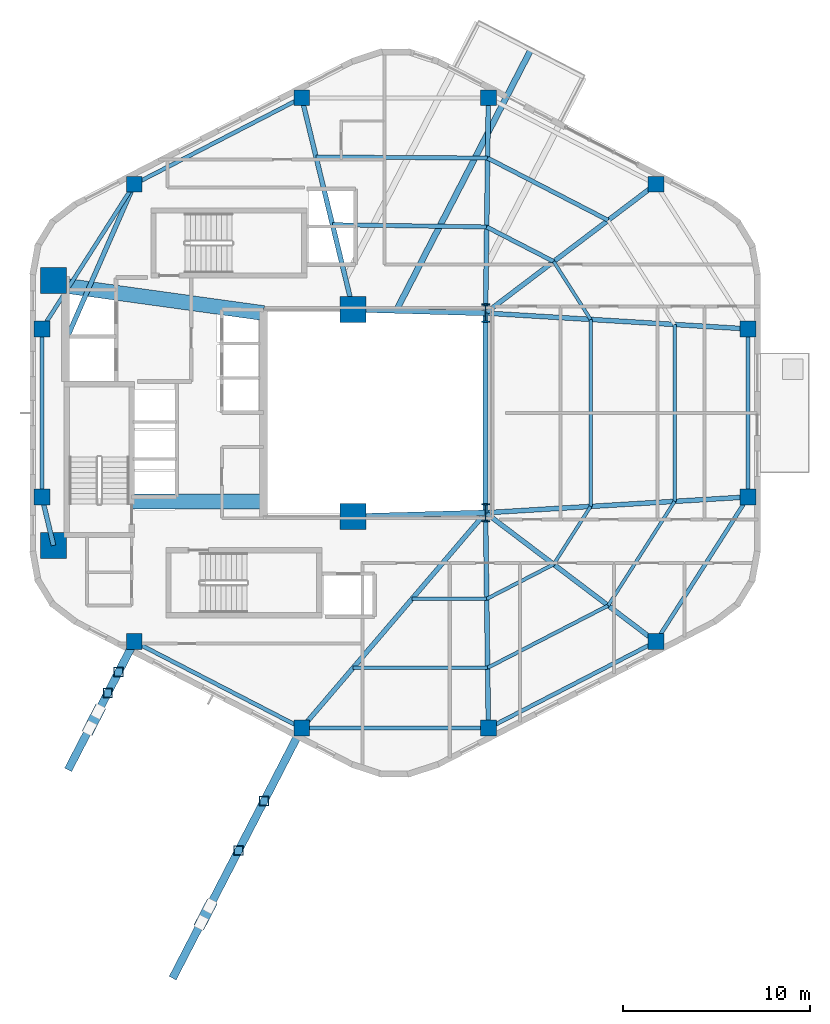
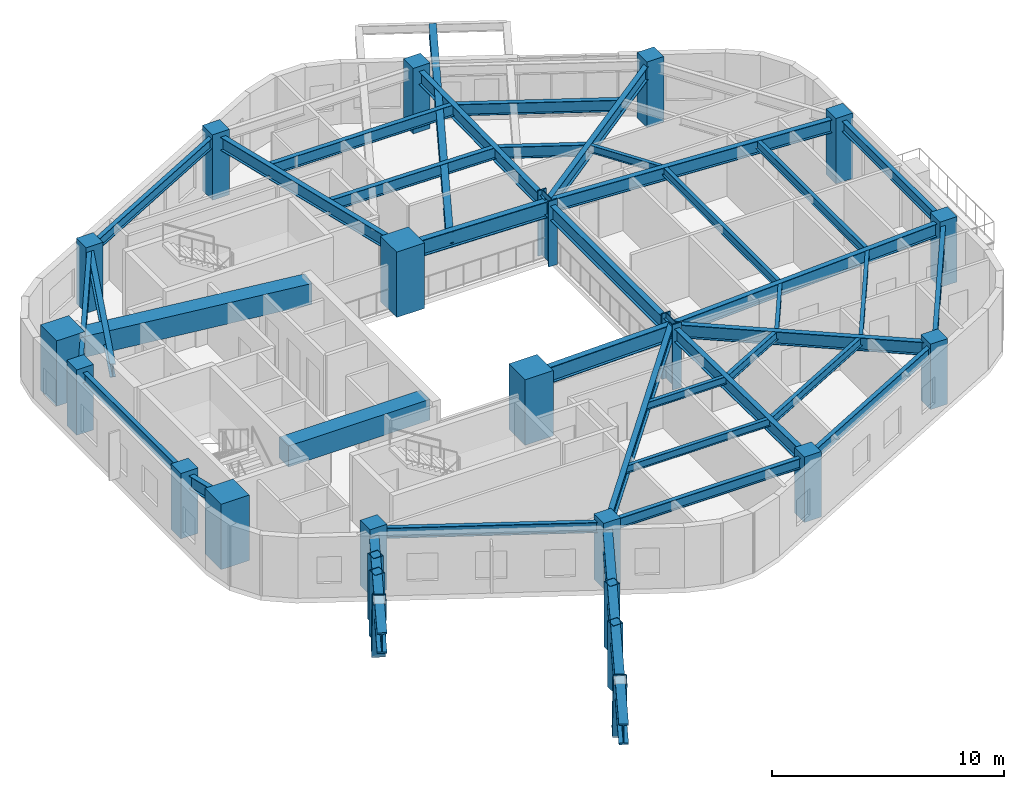
# One storey, part 1 of 11: 39 beams, 18 columns, 6 members.
"""IFC4 building model written with IfcOpenShell, lengths in metres."""

import ifcopenshell
import ifcopenshell.guid

model = None  # the IFC model being written
_history = None  # IfcOwnerHistory: only IFC2X3 demands one
_inside = {}  # id of a spatial element -> (the spatial element, [elements in it])
_under = {}  # id of a project, library or spatial element -> (it, [spatial elements below it])
_declared = {}  # id of a project -> (the project, [libraries it declares])
_typed = {}  # id of a type object -> (the type object, [elements of that type])
_made_of = {}  # id of a material, layer set ... -> (it, [elements and type objects made of it])


def new_model(schema):
    """Start an empty IFC model of exactly this schema.

    Asked for "IFC4X3", IfcOpenShell would pick the latest addendum, in which some entities
    have other attributes; the version numbers below select the first issue.
    IFC2X3 requires an IfcOwnerHistory on every rooted entity: one is made here for all.
    """
    global model, _history
    if schema == "IFC4X3":
        model = ifcopenshell.file(schema_version=(4, 3, 0, 0))
    else:
        model = ifcopenshell.file(schema=schema)
    _inside.clear()
    _under.clear()
    _declared.clear()
    _typed.clear()
    _made_of.clear()
    _history = None
    if model.schema == "IFC2X3":
        org = make("IfcOrganization", Name="unknown")
        user = make(
            "IfcPersonAndOrganization",
            ThePerson=make("IfcPerson", FamilyName="unknown"),
            TheOrganization=org,
        )
        app = make(
            "IfcApplication",
            ApplicationDeveloper=org,
            Version="unknown",
            ApplicationFullName="unknown",
            ApplicationIdentifier="unknown",
        )
        _history = make(
            "IfcOwnerHistory",
            OwningUser=user,
            OwningApplication=app,
            ChangeAction="ADDED",
            CreationDate=0,
        )
    return model


def make(cls, **values):
    """One entity of the class cls with the attributes given. An attribute that is None is left unset."""
    return model.create_entity(
        cls, **{name: value for name, value in values.items() if value is not None}
    )


def rooted(cls, **values):
    """An entity with a GlobalId (a new one), such as an element, a storey or a relation."""
    return make(cls, GlobalId=ifcopenshell.guid.new(), OwnerHistory=_history, **values)


def si_unit(unit_type, name, prefix=None):
    """IfcSIUnit, for example si_unit("LENGTHUNIT", "METRE", prefix="MILLI")."""
    return make("IfcSIUnit", UnitType=unit_type, Prefix=prefix, Name=name)


def assignment(units):
    """IfcUnitAssignment: the units of a project."""
    return None if units is None else make("IfcUnitAssignment", Units=units)


def point(xyz):
    """IfcCartesianPoint."""
    return None if xyz is None else make("IfcCartesianPoint", Coordinates=xyz)


def direction(xyz):
    """IfcDirection."""
    return None if xyz is None else make("IfcDirection", DirectionRatios=xyz)


def frame(location, z_axis=None, x_axis=None):
    """IfcAxis2Placement3D, a coordinate frame: its origin and axes. An axis left out is left unset."""
    return make(
        "IfcAxis2Placement3D",
        Location=point(location),
        Axis=direction(z_axis),
        RefDirection=direction(x_axis),
    )


def frame_2d(location, x_axis=None):
    """IfcAxis2Placement2D, a coordinate frame in the plane: its origin and x axis."""
    return make(
        "IfcAxis2Placement2D", Location=point(location), RefDirection=direction(x_axis)
    )


def origin():
    """The frame at (0, 0, 0) with its axes left unset."""
    return frame((0.0, 0.0, 0.0))


def origin_2d():
    """The frame at (0, 0) in the plane with its x axis left unset."""
    return frame_2d((0.0, 0.0))


def place(relative_to, where):
    """IfcLocalPlacement: puts the frame where relative to a parent placement (None: the world)."""
    return make(
        "IfcLocalPlacement", PlacementRelTo=relative_to, RelativePlacement=where
    )


def context(
    kind, dimensions, precision=None, world=None, true_north=None, identifier=None
):
    """IfcGeometricRepresentationContext, for example the 3D "Model" context."""
    return make(
        "IfcGeometricRepresentationContext",
        ContextIdentifier=identifier,
        ContextType=kind,
        CoordinateSpaceDimension=dimensions,
        Precision=precision,
        WorldCoordinateSystem=world,
        TrueNorth=true_north,
    )


def subcontext(parent, identifier, kind, view, scale=None):
    """IfcGeometricRepresentationSubContext, for example "Body" below "Model"."""
    return make(
        "IfcGeometricRepresentationSubContext",
        ContextIdentifier=identifier,
        ContextType=kind,
        ParentContext=parent,
        TargetScale=scale,
        TargetView=view,
    )


def project(units=None, contexts=None):
    """IfcProject with its units and contexts."""
    return rooted(
        "IfcProject",
        Name="project",
        RepresentationContexts=contexts,
        UnitsInContext=assignment(units),
    )


def spatial(cls, under=None, at=None, **own):
    """A site, building, storey or space (cls), placed at a placement, below another one or the project."""
    s = rooted(cls, ObjectPlacement=at, **own)
    if under is not None:
        _under.setdefault(under.id(), (under, []))[1].append(s)
    return s


def profile(cls, at=None, kind="AREA", **sizes):
    """A parametric profile (cls). Its sizes go by their IFC names, for example OverallWidth=200.0."""
    return make(cls, ProfileType=kind, Position=at, **sizes)


def rectangle(**sizes):
    """IfcRectangleProfileDef."""
    return profile("IfcRectangleProfileDef", **sizes)


def hollow_rectangle(**sizes):
    """IfcRectangleHollowProfileDef."""
    return profile("IfcRectangleHollowProfileDef", **sizes)


def i_section(**sizes):
    """IfcIShapeProfileDef."""
    return profile("IfcIShapeProfileDef", **sizes)


def extrude(swept, where, along, depth):
    """IfcExtrudedAreaSolid: the profile swept, set in the frame where, extruded along a direction by depth."""
    return make(
        "IfcExtrudedAreaSolid",
        SweptArea=swept,
        Position=where,
        ExtrudedDirection=direction(along),
        Depth=depth,
    )


def shape(context_of_items, identifier, shape_type, items):
    """IfcShapeRepresentation: the items that make up one representation, for example the "Body"."""
    return make(
        "IfcShapeRepresentation",
        ContextOfItems=context_of_items,
        RepresentationIdentifier=identifier,
        RepresentationType=shape_type,
        Items=items,
    )


def material(Name=None, Category=None):
    """IfcMaterial."""
    return make("IfcMaterial", Name=Name, Category=Category)


def material_profile(
    of_material, cross_section, Name=None, Category=None, Priority=None
):
    """IfcMaterialProfile: a cross section and its material."""
    return make(
        "IfcMaterialProfile",
        Name=Name,
        Material=of_material,
        Profile=cross_section,
        Priority=Priority,
        Category=Category,
    )


def profile_set(profiles, Name=None, composite=None):
    """IfcMaterialProfileSet."""
    return make(
        "IfcMaterialProfileSet",
        Name=Name,
        MaterialProfiles=profiles,
        CompositeProfile=composite,
    )


def made_of(thing, what):
    """Note that an element or type object is made of a material, layer set ...; save() writes the relation."""
    if what is not None:
        _made_of.setdefault(what.id(), (what, []))[1].append(thing)
    return thing


def type_object(cls, material=None, **own):
    """A type object (cls), such as IfcWallType, which elements share."""
    return made_of(rooted(cls, **own), material)


def element(
    cls,
    number,
    at=None,
    inside=None,
    cuts=None,
    type_object=None,
    material=None,
    context=None,
    identifier="Body",
    shape_type=None,
    held_by="IfcProductDefinitionShape",
    body=None,
    shapes=None,
    **own,
):
    """One element of the class cls, such as IfcWall. Its Tag is "e" and its number.

    at: its placement. inside: the storey or other place that contains it. cuts: it is an
    opening in that element (IfcRelVoidsElement). A single representation is given by context,
    identifier, shape_type and body (its items); several are given by shapes. held_by: the class
    of the entity that holds the representations. save() writes the other relations.
    """
    e = rooted(cls, Tag="e%d" % number, ObjectPlacement=at, **own)
    if body is not None:
        shapes = [shape(context, identifier, shape_type, body)]
    if shapes is not None:
        e.Representation = make(held_by, Representations=shapes)
    if inside is not None:
        _inside.setdefault(inside.id(), (inside, []))[1].append(e)
    if cuts is not None:
        rooted(
            "IfcRelVoidsElement", RelatingBuildingElement=cuts, RelatedOpeningElement=e
        )
    if type_object is not None:
        _typed.setdefault(type_object.id(), (type_object, []))[1].append(e)
    return made_of(e, material)


def aggregate(whole, parts):
    """IfcRelAggregates: a whole, such as a stair, and the parts it consists of."""
    return rooted("IfcRelAggregates", RelatingObject=whole, RelatedObjects=parts)


def save(model, path):
    """Write the relations noted so far, then the file.

    IfcRelAggregates (storeys below a building ...), IfcRelContainedInSpatialStructure (elements
    in a storey), IfcRelDefinesByType, IfcRelAssociatesMaterial and IfcRelDeclares: one each for
    every whole, place, type object, material and project.
    """
    for whole, parts in _under.values():
        aggregate(whole, parts)
    for where, things in _inside.values():
        rooted(
            "IfcRelContainedInSpatialStructure",
            RelatedElements=things,
            RelatingStructure=where,
        )
    for kind, things in _typed.values():
        rooted("IfcRelDefinesByType", RelatedObjects=things, RelatingType=kind)
    for what, things in _made_of.values():
        rooted("IfcRelAssociatesMaterial", RelatedObjects=things, RelatingMaterial=what)
    for by, libraries in _declared.values():
        rooted("IfcRelDeclares", RelatingContext=by, RelatedDefinitions=libraries)
    model.write(path)


model = new_model("IFC4")

# Units and contexts
model_context = context("Model", 3, precision=1e-05, world=origin(), true_north=direction((0.0, 1.0)))
body_context = subcontext(model_context, "Body", "Model", "MODEL_VIEW")
ifc_project = project(units=[si_unit("LENGTHUNIT", "METRE"), si_unit("AREAUNIT", "SQUARE_METRE"), si_unit("VOLUMEUNIT", "CUBIC_METRE"), si_unit("PLANEANGLEUNIT", "RADIAN"), si_unit("MASSUNIT", "GRAM", prefix="KILO"), si_unit("THERMODYNAMICTEMPERATUREUNIT", "KELVIN"), si_unit("POWERUNIT", "WATT")], contexts=[model_context])

# Site, building, storey
site_placement = place(None, origin())
site = spatial("IfcSite", under=ifc_project, at=site_placement, CompositionType="ELEMENT")
building_placement = place(site_placement, origin())
building = spatial("IfcBuilding", under=site, at=building_placement, Name="Skarre Station Tower", CompositionType="ELEMENT")
storey_placement = place(building_placement, frame((0.0, 0.0, 167.10009765625)))
storey = spatial("IfcBuildingStorey", under=building, at=storey_placement, Name="L45", CompositionType="ELEMENT", Elevation=167.10009765625)

# Columns
ifc_material_1 = material(Name="Concrete C70/85", Category="concrete")
ifc_material_profile_1 = material_profile(ifc_material_1, rectangle(XDim=1.39990234375, YDim=1.39990234375, at=origin_2d()), Name="Concrete C70/85")
ifc_profile_set_1 = profile_set([ifc_material_profile_1], Name="Concrete C70/85")
column_type_1 = type_object("IfcColumnType", Name="RC Structural Column RC-COL-1400X1400", PredefinedType="COLUMN", material=ifc_profile_set_1)
for number, where, z_axis, x_axis, name in (
    (1, (16.300048828125, 16.89990234375, 0.0), (0.0, 0.0, 1.0), (1.0, 0.0, 0.0), "L45 Core Column CC-SW"),
    (2, (16.300048828125, 31.10009765625, 0.0), (0.0, 0.0, 1.0), (1.0, 0.0, 0.0), "L45 Core Column CC-NW"),
    (3, (32.35009765625, 18.449951171875, 0.0), (0.0, 0.0, 1.0), (1.0, 0.0, 0.0), "L45 Core Column CC-SE"),
    (4, (32.35009765625, 29.550048828125, 0.0), (0.0, 0.0, 1.0), (1.0, 0.0, 0.0), "L45 Core Column CC-NE"),
):
    element("IfcColumn", number, at=place(storey_placement, frame(where, z_axis=z_axis, x_axis=x_axis)), inside=storey, type_object=column_type_1, Name=name, PredefinedType="COLUMN", context=body_context, shape_type="SweptSolid", body=[
        extrude(rectangle(XDim=1.39990234375, YDim=1.39990234375, at=origin_2d()), origin(), (0.0, 0.0, 1.0), 3.449951171875),
    ])
ifc_material_2 = material(Name="Concrete C50/60", Category="concrete")
ifc_material_profile_2 = material_profile(ifc_material_2, rectangle(XDim=0.85009765625, YDim=0.85009765625, at=origin_2d()), Name="Concrete C50/60")
ifc_profile_set_2 = profile_set([ifc_material_profile_2], Name="Concrete C50/60")
column_type_2 = type_object("IfcColumnType", Name="RC Structural Column RC-COL-850X850", PredefinedType="COLUMN", material=ifc_profile_set_2)
for number, where, z_axis, x_axis, name in (
    (5, (48.573974609375, 36.257080078125, 0.0), (0.0, 0.0, 1.0), (1.0, 0.0, 0.0), "L45 Zone 3 Perimeter Column F0C1"),
    (6, (39.60205078125, 40.887939453125, 0.0), (0.0, 0.0, 1.0), (1.0, 0.0, 0.0), "L45 Zone 3 Perimeter Column F0C2"),
    (7, (29.597900390625, 40.887939453125, 0.0), (0.0, 0.0, 1.0), (1.0, 0.0, 0.0), "L45 Zone 3 Perimeter Column F1C1"),
    (8, (20.6259765625, 36.257080078125, 0.0), (0.0, 0.0, 1.0), (1.0, 0.0, 0.0), "L45 Zone 3 Perimeter Column F1C2"),
    (9, (15.677978515625, 28.5009765625, 0.0), (0.0, 0.0, 1.0), (1.0, 0.0, 0.0), "L45 Zone 3 Perimeter Column F2C1"),
    (10, (15.677978515625, 19.4990234375, 0.0), (0.0, 0.0, 1.0), (1.0, 0.0, 0.0), "L45 Zone 3 Perimeter Column F2C2"),
    (11, (20.6259765625, 11.742919921875, 0.0), (0.0, 0.0, 1.0), (1.0, 0.0, 0.0), "L45 Zone 3 Perimeter Column F3C1"),
    (12, (29.597900390625, 7.112060546875, 0.0), (0.0, 0.0, 1.0), (1.0, 0.0, 0.0), "L45 Zone 3 Perimeter Column F3C2"),
    (13, (39.60205078125, 7.112060546875, 0.0), (0.0, 0.0, 1.0), (1.0, 0.0, 0.0), "L45 Zone 3 Perimeter Column F4C1"),
    (14, (48.573974609375, 11.742919921875, 0.0), (0.0, 0.0, 1.0), (1.0, 0.0, 0.0), "L45 Zone 3 Perimeter Column F4C2"),
    (15, (53.52197265625, 19.4990234375, 0.0), (0.0, 0.0, 1.0), (1.0, 0.0, 0.0), "L45 Zone 3 Perimeter Column F5C1"),
    (16, (53.52197265625, 28.5009765625, 0.0), (0.0, 0.0, 1.0), (1.0, 0.0, 0.0), "L45 Zone 3 Perimeter Column F5C2"),
):
    element("IfcColumn", number, at=place(storey_placement, frame(where, z_axis=z_axis, x_axis=x_axis)), inside=storey, type_object=column_type_2, Name=name, PredefinedType="COLUMN", context=body_context, shape_type="SweptSolid", body=[
        extrude(rectangle(XDim=0.85009765625, YDim=0.85009765625, at=origin_2d()), origin(), (0.0, 0.0, 1.0), 3.449951171875),
    ])
ifc_material_3 = material(Name="Steel ASTM A913 Grade 65", Category="steel")
ifc_material_profile_3 = material_profile(ifc_material_3, i_section(OverallWidth=0.430908203125, OverallDepth=0.987060546875, WebThickness=0.033935546875, FlangeThickness=0.06201171875, at=origin_2d()), Name="Steel ASTM A913 Grade 65")
ifc_profile_set_3 = profile_set([ifc_material_profile_3], Name="Steel ASTM A913 Grade 65")
column_type_3 = type_object("IfcColumnType", Name="Steel Column W36X441", PredefinedType="COLUMN", material=ifc_profile_set_3)
for number, where, z_axis, x_axis, name in (
    (17, (39.449951171875, 18.64990234375, 0.0), (0.0, 0.0, 1.0), (1.0, 0.0, 0.0), "L45 Atrium Spine Column AC-SE"),
    (18, (39.449951171875, 29.35009765625, 0.0), (0.0, 0.0, 1.0), (1.0, 0.0, 0.0), "L45 Atrium Spine Column AC-NE"),
):
    element("IfcColumn", number, at=place(storey_placement, frame(where, z_axis=z_axis, x_axis=x_axis)), inside=storey, type_object=column_type_3, Name=name, PredefinedType="COLUMN", context=body_context, shape_type="SweptSolid", body=[
        extrude(i_section(OverallWidth=0.430908203125, OverallDepth=0.987060546875, WebThickness=0.033935546875, FlangeThickness=0.06201171875, at=origin_2d()), origin(), (0.0, 0.0, 1.0), 3.449951171875),
    ])

# Beams
ifc_material_profile_4 = material_profile(ifc_material_1, rectangle(XDim=0.800048828125, YDim=1.10009765625, at=origin_2d()), Name="Concrete C70/85")
ifc_profile_set_4 = profile_set([ifc_material_profile_4], Name="Concrete C70/85")
beam_type_1 = type_object("IfcBeamType", Name="RC Core Coupling Lintel 800x1100", PredefinedType="LINTEL", material=ifc_profile_set_4)
beam_1_placement = place(storey_placement, frame((20.489990234375, 19.260009765625, 2.639892578125), z_axis=(1.0, 0.0, 0.0), x_axis=(0.0, 1.0, 0.0)))
element("IfcBeam", 19, at=beam_1_placement, inside=storey, type_object=beam_type_1, Name="L45 South Core Coupling Lintel", PredefinedType="LINTEL", context=body_context, shape_type="SweptSolid", body=[
    extrude(rectangle(XDim=0.800048828125, YDim=1.10009765625, at=origin_2d()), origin(), (0.0, 0.0, 1.0), 7.06005859375),
])
beam_2_placement = place(storey_placement, frame((17.050048828125, 30.800048828125, 2.639892578125), z_axis=(0.990599723633, -0.136792498109, 0.0), x_axis=(0.136792498109, 0.990599723633, 0.0)))
element("IfcBeam", 20, at=beam_2_placement, inside=storey, type_object=beam_type_1, Name="L45 North Core Coupling Lintel", PredefinedType="LINTEL", context=body_context, shape_type="SweptSolid", body=[
    extrude(rectangle(XDim=0.800048828125, YDim=1.10009765625, at=origin_2d()), origin(), (0.0, 0.0, 1.0), 10.599609375),
])
ifc_material_4 = material(Name="Steel ASTM A992 Grade 50", Category="steel")
ifc_material_profile_5 = material_profile(ifc_material_4, i_section(OverallWidth=0.323974609375, OverallDepth=0.611083984375, WebThickness=0.012939453125, FlangeThickness=0.01904296875, at=origin_2d()), Name="Steel ASTM A992 Grade 50")
ifc_profile_set_5 = profile_set([ifc_material_profile_5], Name="Steel ASTM A992 Grade 50")
beam_type_2 = type_object("IfcBeamType", Name="Steel Beam W24X104", PredefinedType="BEAM", material=ifc_profile_set_5)
beam_3_placement = place(storey_placement, frame((34.6630859375, 29.485107421875, 2.77978515625), z_axis=(0.458629062508, 0.888627809053, 0.0), x_axis=(-0.888627809053, 0.458629062508, 0.0)))
element("IfcBeam", 21, at=beam_3_placement, inside=storey, type_object=beam_type_2, Name="L45 SG-2-L46 Center Outrigger Beam", PredefinedType="BEAM", context=body_context, shape_type="SweptSolid", body=[
    extrude(i_section(OverallWidth=0.323974609375, OverallDepth=0.611083984375, WebThickness=0.012939453125, FlangeThickness=0.01904296875, at=origin_2d()), origin(), (0.0, 0.0, 1.0), 15.707275390625),
])
ifc_material_profile_6 = material_profile(ifc_material_4, i_section(OverallWidth=0.256103515625, OverallDepth=0.693115234375, WebThickness=0.013916015625, FlangeThickness=0.02392578125, at=origin_2d()), Name="Steel ASTM A992 Grade 50")
ifc_profile_set_6 = profile_set([ifc_material_profile_6], Name="Steel ASTM A992 Grade 50")
beam_type_3 = type_object("IfcBeamType", Name="Steel Beam W27X114", PredefinedType="BEAM", material=ifc_profile_set_6)
beam_4_placement = place(storey_placement, frame((39.449951171875, 29.35009765625, 2.843994140625), z_axis=(0.797308988117, 0.603571352425, 0.0), x_axis=(-0.603571352425, 0.797308988117, 0.0)))
element("IfcBeam", 22, at=beam_4_placement, inside=storey, type_object=beam_type_3, Name="L45 Radial Floor Girder F0C1", PredefinedType="BEAM", context=body_context, shape_type="SweptSolid", body=[
    extrude(i_section(OverallWidth=0.256103515625, OverallDepth=0.693115234375, WebThickness=0.013916015625, FlangeThickness=0.02392578125, at=origin_2d()), origin(), (0.0, 0.0, 1.0), 11.443603515625),
])
beam_5_placement = place(storey_placement, frame((39.449951171875, 29.35009765625, 2.843994140625), z_axis=(0.013181528887, 0.999913119874, 0.0), x_axis=(-0.999913119874, 0.013181528887, 0.0)))
element("IfcBeam", 23, at=beam_5_placement, inside=storey, type_object=beam_type_3, Name="L45 Radial Floor Girder F0C2", PredefinedType="BEAM", context=body_context, shape_type="SweptSolid", body=[
    extrude(i_section(OverallWidth=0.256103515625, OverallDepth=0.693115234375, WebThickness=0.013916015625, FlangeThickness=0.02392578125, at=origin_2d()), origin(), (0.0, 0.0, 1.0), 11.538818359375),
])
beam_6_placement = place(storey_placement, frame((32.35009765625, 29.550048828125, 2.843994140625), z_axis=(-0.235892880832, 0.971779063765, 0.0), x_axis=(-0.971779063765, -0.235892880832, 0.0)))
element("IfcBeam", 24, at=beam_6_placement, inside=storey, type_object=beam_type_3, Name="L45 Radial Floor Girder F1C1", PredefinedType="BEAM", context=body_context, shape_type="SweptSolid", body=[
    extrude(i_section(OverallWidth=0.256103515625, OverallDepth=0.693115234375, WebThickness=0.013916015625, FlangeThickness=0.02392578125, at=origin_2d()), origin(), (0.0, 0.0, 1.0), 11.667236328125),
])
beam_7_placement = place(storey_placement, frame((17.010009765625, 28.0, 2.843994140625), z_axis=(0.401144174417, 0.916014929644, 0.0), x_axis=(-0.916014929644, 0.401144174417, 0.0)))
element("IfcBeam", 25, at=beam_7_placement, inside=storey, type_object=beam_type_3, Name="L45 Radial Floor Girder F1C2", PredefinedType="BEAM", context=body_context, shape_type="SweptSolid", body=[
    extrude(i_section(OverallWidth=0.256103515625, OverallDepth=0.693115234375, WebThickness=0.013916015625, FlangeThickness=0.02392578125, at=origin_2d()), origin(), (0.0, 0.0, 1.0), 9.01416015625),
])
beam_8_placement = place(storey_placement, frame((16.300048828125, 16.89990234375, 2.843994140625), z_axis=(-0.232764815072, 0.972533053867, 0.0), x_axis=(-0.972533053867, -0.232764815072, 0.0)))
element("IfcBeam", 26, at=beam_8_placement, inside=storey, type_object=beam_type_3, Name="L45 Radial Floor Girder F2C2", PredefinedType="BEAM", context=body_context, shape_type="SweptSolid", body=[
    extrude(i_section(OverallWidth=0.256103515625, OverallDepth=0.693115234375, WebThickness=0.013916015625, FlangeThickness=0.02392578125, at=origin_2d()), origin(), (0.0, 0.0, 1.0), 2.672607421875),
])
beam_9_placement = place(storey_placement, frame((39.449951171875, 18.64990234375, 2.843994140625), z_axis=(-0.649364312169, -0.760477475065, 0.0), x_axis=(0.760477475065, -0.649364312169, 0.0)))
element("IfcBeam", 27, at=beam_9_placement, inside=storey, type_object=beam_type_3, Name="L45 Radial Floor Girder F3C2", PredefinedType="BEAM", context=body_context, shape_type="SweptSolid", body=[
    extrude(i_section(OverallWidth=0.256103515625, OverallDepth=0.693115234375, WebThickness=0.013916015625, FlangeThickness=0.02392578125, at=origin_2d()), origin(), (0.0, 0.0, 1.0), 15.171875),
])
beam_10_placement = place(storey_placement, frame((39.449951171875, 18.64990234375, 2.843994140625), z_axis=(0.013181528887, -0.999913119874, 0.0), x_axis=(0.999913119874, 0.013181528887, 0.0)))
element("IfcBeam", 28, at=beam_10_placement, inside=storey, type_object=beam_type_3, Name="L45 Radial Floor Girder F4C1", PredefinedType="BEAM", context=body_context, shape_type="SweptSolid", body=[
    extrude(i_section(OverallWidth=0.256103515625, OverallDepth=0.693115234375, WebThickness=0.013916015625, FlangeThickness=0.02392578125, at=origin_2d()), origin(), (0.0, 0.0, 1.0), 11.538818359375),
])
beam_11_placement = place(storey_placement, frame((39.449951171875, 18.64990234375, 2.843994140625), z_axis=(0.797308988117, -0.603571352425, 0.0), x_axis=(0.603571352425, 0.797308988117, 0.0)))
element("IfcBeam", 29, at=beam_11_placement, inside=storey, type_object=beam_type_3, Name="L45 Radial Floor Girder F4C2", PredefinedType="BEAM", context=body_context, shape_type="SweptSolid", body=[
    extrude(i_section(OverallWidth=0.256103515625, OverallDepth=0.693115234375, WebThickness=0.013916015625, FlangeThickness=0.02392578125, at=origin_2d()), origin(), (0.0, 0.0, 1.0), 11.443603515625),
])
for number, where, z_axis, x_axis, name in (
    (30, (39.449951171875, 18.64990234375, 2.843994140625), (0.998184432941, 0.060231535207, 0.0), (-0.060231535207, 0.998184432941, 0.0), "L45 Radial Floor Girder F5C1"),
    (31, (39.449951171875, 29.35009765625, 2.843994140625), (0.998184432941, -0.060231535207, 0.0), (0.060231535207, 0.998184432941, 0.0), "L45 Radial Floor Girder F5C2"),
):
    element("IfcBeam", number, at=place(storey_placement, frame(where, z_axis=z_axis, x_axis=x_axis)), inside=storey, type_object=beam_type_3, Name=name, PredefinedType="BEAM", context=body_context, shape_type="SweptSolid", body=[
        extrude(i_section(OverallWidth=0.256103515625, OverallDepth=0.693115234375, WebThickness=0.013916015625, FlangeThickness=0.02392578125, at=origin_2d()), origin(), (0.0, 0.0, 1.0), 14.09765625),
    ])
ifc_material_profile_7 = material_profile(ifc_material_4, i_section(OverallWidth=0.26806640625, OverallDepth=0.77001953125, WebThickness=0.01611328125, FlangeThickness=0.02490234375, at=origin_2d()), Name="Steel ASTM A992 Grade 50")
ifc_profile_set_7 = profile_set([ifc_material_profile_7], Name="Steel ASTM A992 Grade 50")
beam_type_4 = type_object("IfcBeamType", Name="Steel Beam W30X132", PredefinedType="BEAM", material=ifc_profile_set_7)
beam_12_placement = place(storey_placement, frame((39.449951171875, 18.64990234375, 2.804931640625), z_axis=(0.0, 1.0, 0.0), x_axis=(-1.0, 0.0, 0.0)))
element("IfcBeam", 32, at=beam_12_placement, inside=storey, type_object=beam_type_4, Name="L45 Atrium East Edge Girder", PredefinedType="BEAM", context=body_context, shape_type="SweptSolid", body=[
    extrude(i_section(OverallWidth=0.26806640625, OverallDepth=0.77001953125, WebThickness=0.01611328125, FlangeThickness=0.02490234375, at=origin_2d()), origin(), (0.0, 0.0, 1.0), 10.7001953125),
])
ifc_material_profile_8 = material_profile(ifc_material_4, i_section(OverallWidth=0.2919921875, OverallDepth=0.85888671875, WebThickness=0.01708984375, FlangeThickness=0.031005859375, at=origin_2d()), Name="Steel ASTM A992 Grade 50")
ifc_profile_set_8 = profile_set([ifc_material_profile_8], Name="Steel ASTM A992 Grade 50")
beam_type_5 = type_object("IfcBeamType", Name="Steel Beam W33X169", PredefinedType="BEAM", material=ifc_profile_set_8)
for number, where, z_axis, x_axis, name in (
    (33, (32.35009765625, 18.449951171875, 2.760986328125), (0.999603666405, 0.028151556095, 0.0), (-0.028151556095, 0.999603666405, 0.0), "L45 Atrium South Edge Girder"),
    (34, (32.35009765625, 29.550048828125, 2.760986328125), (0.999603666405, -0.028151556095, 0.0), (0.028151556095, 0.999603666405, 0.0), "L45 Atrium North Edge Girder"),
):
    element("IfcBeam", number, at=place(storey_placement, frame(where, z_axis=z_axis, x_axis=x_axis)), inside=storey, type_object=beam_type_5, Name=name, PredefinedType="BEAM", context=body_context, shape_type="SweptSolid", body=[
        extrude(i_section(OverallWidth=0.2919921875, OverallDepth=0.85888671875, WebThickness=0.01708984375, FlangeThickness=0.031005859375, at=origin_2d()), origin(), (0.0, 0.0, 1.0), 7.102783203125),
    ])
ifc_material_profile_9 = material_profile(ifc_material_4, i_section(OverallWidth=0.177978515625, OverallDepth=0.403076171875, WebThickness=0.008056640625, FlangeThickness=0.010986328125, at=origin_2d()), Name="Steel ASTM A992 Grade 50")
ifc_profile_set_9 = profile_set([ifc_material_profile_9], Name="Steel ASTM A992 Grade 50")
beam_type_6 = type_object("IfcBeamType", Name="Steel Joist W16X36", PredefinedType="JOIST", material=ifc_profile_set_9)
beam_13_placement = place(storey_placement, frame((35.509033203125, 14.034912109375, 2.98779296875), z_axis=(1.0, 0.0, 0.0), x_axis=(0.0, 1.0, 0.0)))
element("IfcBeam", 35, at=beam_13_placement, inside=storey, type_object=beam_type_6, Name="L45 Auxiliary Composite Joist 7", PredefinedType="JOIST", context=body_context, shape_type="SweptSolid", body=[
    extrude(i_section(OverallWidth=0.177978515625, OverallDepth=0.403076171875, WebThickness=0.008056640625, FlangeThickness=0.010986328125, at=origin_2d()), origin(), (0.0, 0.0, 1.0), 4.001953125),
])
beam_14_placement = place(storey_placement, frame((32.35693359375, 10.343017578125, 2.98779296875), z_axis=(1.0, 0.0, 0.0), x_axis=(0.0, 1.0, 0.0)))
element("IfcBeam", 36, at=beam_14_placement, inside=storey, type_object=beam_type_6, Name="L45 Auxiliary Composite Joist 8", PredefinedType="JOIST", context=body_context, shape_type="SweptSolid", body=[
    extrude(i_section(OverallWidth=0.177978515625, OverallDepth=0.403076171875, WebThickness=0.008056640625, FlangeThickness=0.010986328125, at=origin_2d()), origin(), (0.0, 0.0, 1.0), 7.2021484375),
])
beam_15_placement = place(storey_placement, frame((43.10009765625, 15.886962890625, 2.98779296875), z_axis=(0.537716516977, 0.843125700812, 0.0), x_axis=(-0.843125700812, 0.537716516977, 0.0)))
element("IfcBeam", 37, at=beam_15_placement, inside=storey, type_object=beam_type_6, Name="L45 Auxiliary Composite Joist 11", PredefinedType="JOIST", context=body_context, shape_type="SweptSolid", body=[
    extrude(i_section(OverallWidth=0.177978515625, OverallDepth=0.403076171875, WebThickness=0.008056640625, FlangeThickness=0.010986328125, at=origin_2d()), origin(), (0.0, 0.0, 1.0), 3.680419921875),
])
beam_16_placement = place(storey_placement, frame((46.01904296875, 13.677001953125, 2.98779296875), z_axis=(0.537900605588, 0.843008267165, 0.0), x_axis=(-0.843008267165, 0.537900605588, 0.0)))
element("IfcBeam", 38, at=beam_16_placement, inside=storey, type_object=beam_type_6, Name="L45 Auxiliary Composite Joist 12", PredefinedType="JOIST", context=body_context, shape_type="SweptSolid", body=[
    extrude(i_section(OverallWidth=0.177978515625, OverallDepth=0.403076171875, WebThickness=0.008056640625, FlangeThickness=0.010986328125, at=origin_2d()), origin(), (0.0, 0.0, 1.0), 6.623779296875),
])
beam_17_placement = place(storey_placement, frame((45.0791015625, 29.010009765625, 2.98779296875), z_axis=(-0.537716516977, 0.843125700812, 0.0), x_axis=(-0.843125700812, -0.537716516977, 0.0)))
element("IfcBeam", 39, at=beam_17_placement, inside=storey, type_object=beam_type_6, Name="L45 Auxiliary Composite Joist 15", PredefinedType="JOIST", context=body_context, shape_type="SweptSolid", body=[
    extrude(i_section(OverallWidth=0.177978515625, OverallDepth=0.403076171875, WebThickness=0.008056640625, FlangeThickness=0.010986328125, at=origin_2d()), origin(), (0.0, 0.0, 1.0), 3.680419921875),
])
ifc_material_profile_10 = material_profile(ifc_material_4, i_section(OverallWidth=0.19091796875, OverallDepth=0.45703125, WebThickness=0.009033203125, FlangeThickness=0.013916015625, at=origin_2d()), Name="Steel ASTM A992 Grade 50")
ifc_profile_set_10 = profile_set([ifc_material_profile_10], Name="Steel ASTM A992 Grade 50")
beam_type_7 = type_object("IfcBeamType", Name="Steel Joist W18X50", PredefinedType="JOIST", material=ifc_profile_set_10)
beam_18_placement = place(storey_placement, frame((39.510986328125, 14.034912109375, 2.9609375), z_axis=(0.888660390105, 0.458565928803, 0.0), x_axis=(-0.458565928803, 0.888660390105, 0.0)))
element("IfcBeam", 40, at=beam_18_placement, inside=storey, type_object=beam_type_7, Name="L45 Auxiliary Composite Joist 9", PredefinedType="JOIST", context=body_context, shape_type="SweptSolid", body=[
    extrude(i_section(OverallWidth=0.19091796875, OverallDepth=0.45703125, WebThickness=0.009033203125, FlangeThickness=0.013916015625, at=origin_2d()), origin(), (0.0, 0.0, 1.0), 4.038818359375),
])
beam_19_placement = place(storey_placement, frame((39.55908203125, 10.343017578125, 2.9609375), z_axis=(0.88863125356, 0.458622388459, 0.0), x_axis=(-0.458622388459, 0.88863125356, 0.0)))
element("IfcBeam", 41, at=beam_19_placement, inside=storey, type_object=beam_type_7, Name="L45 Auxiliary Composite Joist 10", PredefinedType="JOIST", context=body_context, shape_type="SweptSolid", body=[
    extrude(i_section(OverallWidth=0.19091796875, OverallDepth=0.45703125, WebThickness=0.009033203125, FlangeThickness=0.013916015625, at=origin_2d()), origin(), (0.0, 0.0, 1.0), 7.26953125),
])
beam_20_placement = place(storey_placement, frame((45.0791015625, 18.989990234375, 2.9609375), z_axis=(0.0, 1.0, 0.0), x_axis=(-1.0, 0.0, 0.0)))
element("IfcBeam", 42, at=beam_20_placement, inside=storey, type_object=beam_type_7, Name="L45 Auxiliary Composite Joist 13", PredefinedType="JOIST", context=body_context, shape_type="SweptSolid", body=[
    extrude(i_section(OverallWidth=0.19091796875, OverallDepth=0.45703125, WebThickness=0.009033203125, FlangeThickness=0.013916015625, at=origin_2d()), origin(), (0.0, 0.0, 1.0), 10.02001953125),
])
beam_21_placement = place(storey_placement, frame((49.58203125, 19.260986328125, 2.9609375), z_axis=(0.0, 1.0, 0.0), x_axis=(-1.0, 0.0, 0.0)))
element("IfcBeam", 43, at=beam_21_placement, inside=storey, type_object=beam_type_7, Name="L45 Auxiliary Composite Joist 14", PredefinedType="JOIST", context=body_context, shape_type="SweptSolid", body=[
    extrude(i_section(OverallWidth=0.19091796875, OverallDepth=0.45703125, WebThickness=0.009033203125, FlangeThickness=0.013916015625, at=origin_2d()), origin(), (0.0, 0.0, 1.0), 9.47802734375),
])
ifc_material_profile_11 = material_profile(ifc_material_4, i_section(OverallWidth=0.22802734375, OverallDepth=0.60791015625, WebThickness=0.010986328125, FlangeThickness=0.01708984375, at=origin_2d()), Name="Steel ASTM A992 Grade 50")
ifc_profile_set_11 = profile_set([ifc_material_profile_11], Name="Steel ASTM A992 Grade 50")
beam_type_8 = type_object("IfcBeamType", Name="Steel Joist W24X76", PredefinedType="JOIST", material=ifc_profile_set_11)
beam_22_placement = place(storey_placement, frame((43.10009765625, 32.113037109375, 2.885986328125), z_axis=(-0.888660390105, 0.458565928803, 0.0), x_axis=(-0.458565928803, -0.888660390105, 0.0)))
element("IfcBeam", 44, at=beam_22_placement, inside=storey, type_object=beam_type_8, Name="L45 Secondary Floor Joist 1", PredefinedType="JOIST", context=body_context, shape_type="SweptSolid", body=[
    extrude(i_section(OverallWidth=0.22802734375, OverallDepth=0.60791015625, WebThickness=0.010986328125, FlangeThickness=0.01708984375, at=origin_2d()), origin(), (0.0, 0.0, 1.0), 4.038818359375),
])
beam_23_placement = place(storey_placement, frame((46.01904296875, 34.322998046875, 2.885986328125), z_axis=(-0.88863125356, 0.458622388459, 0.0), x_axis=(-0.458622388459, -0.88863125356, 0.0)))
element("IfcBeam", 45, at=beam_23_placement, inside=storey, type_object=beam_type_8, Name="L45 Secondary Floor Joist 2", PredefinedType="JOIST", context=body_context, shape_type="SweptSolid", body=[
    extrude(i_section(OverallWidth=0.22802734375, OverallDepth=0.60791015625, WebThickness=0.010986328125, FlangeThickness=0.01708984375, at=origin_2d()), origin(), (0.0, 0.0, 1.0), 7.26953125),
])
beam_24_placement = place(storey_placement, frame((39.510986328125, 33.965087890625, 2.885986328125), z_axis=(-0.999894760676, 0.014507500591, 0.0), x_axis=(-0.014507500591, -0.999894760676, 0.0)))
element("IfcBeam", 46, at=beam_24_placement, inside=storey, type_object=beam_type_8, Name="L45 Secondary Floor Joist 3", PredefinedType="JOIST", context=body_context, shape_type="SweptSolid", body=[
    extrude(i_section(OverallWidth=0.22802734375, OverallDepth=0.60791015625, WebThickness=0.010986328125, FlangeThickness=0.01708984375, at=origin_2d()), origin(), (0.0, 0.0, 1.0), 8.262939453125),
])
beam_25_placement = place(storey_placement, frame((39.55908203125, 37.656982421875, 2.885986328125), z_axis=(-0.99998149622, 0.006083355807, 0.0), x_axis=(-0.006083355807, -0.99998149622, 0.0)))
element("IfcBeam", 47, at=beam_25_placement, inside=storey, type_object=beam_type_8, Name="L45 Secondary Floor Joist 4", PredefinedType="JOIST", context=body_context, shape_type="SweptSolid", body=[
    extrude(i_section(OverallWidth=0.22802734375, OverallDepth=0.60791015625, WebThickness=0.010986328125, FlangeThickness=0.01708984375, at=origin_2d()), origin(), (0.0, 0.0, 1.0), 9.1904296875),
])
ifc_material_profile_12 = material_profile(ifc_material_4, i_section(OverallWidth=0.214111328125, OverallDepth=0.549072265625, WebThickness=0.014892578125, FlangeThickness=0.02392578125, at=origin_2d()), Name="Steel ASTM A992 Grade 50")
ifc_profile_set_12 = profile_set([ifc_material_profile_12], Name="Steel ASTM A992 Grade 50")
beam_type_9 = type_object("IfcBeamType", Name="Steel Spandrel W21X93", PredefinedType="SPANDREL", material=ifc_profile_set_12)
beam_26_placement = place(storey_placement, frame((29.597900390625, 40.887939453125, 2.916015625), z_axis=(-0.888613027226, -0.458657702262, 0.0), x_axis=(0.458657702262, -0.888613027226, 0.0)))
element("IfcBeam", 48, at=beam_26_placement, inside=storey, type_object=beam_type_9, Name="L45 Facet Spandrel Beam 3", PredefinedType="SPANDREL", context=body_context, shape_type="SweptSolid", body=[
    extrude(i_section(OverallWidth=0.214111328125, OverallDepth=0.549072265625, WebThickness=0.014892578125, FlangeThickness=0.02392578125, at=origin_2d()), origin(), (0.0, 0.0, 1.0), 10.096435546875),
])
beam_27_placement = place(storey_placement, frame((20.6259765625, 36.257080078125, 2.916015625), z_axis=(-0.537826426158, -0.843055594445, 0.0), x_axis=(0.843055594445, -0.537826426158, 0.0)))
element("IfcBeam", 49, at=beam_27_placement, inside=storey, type_object=beam_type_9, Name="L45 Facet Spandrel Beam 4", PredefinedType="SPANDREL", context=body_context, shape_type="SweptSolid", body=[
    extrude(i_section(OverallWidth=0.214111328125, OverallDepth=0.549072265625, WebThickness=0.014892578125, FlangeThickness=0.02392578125, at=origin_2d()), origin(), (0.0, 0.0, 1.0), 9.199951171875),
])
beam_28_placement = place(storey_placement, frame((15.677978515625, 28.5009765625, 2.916015625), z_axis=(0.0, -1.0, 0.0), x_axis=(1.0, 0.0, 0.0)))
element("IfcBeam", 50, at=beam_28_placement, inside=storey, type_object=beam_type_9, Name="L45 Facet Spandrel Beam 5", PredefinedType="SPANDREL", context=body_context, shape_type="SweptSolid", body=[
    extrude(i_section(OverallWidth=0.214111328125, OverallDepth=0.549072265625, WebThickness=0.014892578125, FlangeThickness=0.02392578125, at=origin_2d()), origin(), (0.0, 0.0, 1.0), 9.001953125),
])
beam_29_placement = place(storey_placement, frame((20.6259765625, 11.742919921875, 2.916015625), z_axis=(0.888613027226, -0.458657702262, 0.0), x_axis=(0.458657702262, 0.888613027226, 0.0)))
element("IfcBeam", 51, at=beam_29_placement, inside=storey, type_object=beam_type_9, Name="L45 Facet Spandrel Beam 7", PredefinedType="SPANDREL", context=body_context, shape_type="SweptSolid", body=[
    extrude(i_section(OverallWidth=0.214111328125, OverallDepth=0.549072265625, WebThickness=0.014892578125, FlangeThickness=0.02392578125, at=origin_2d()), origin(), (0.0, 0.0, 1.0), 10.096435546875),
])
beam_30_placement = place(storey_placement, frame((29.597900390625, 7.112060546875, 2.916015625), z_axis=(1.0, 0.0, 0.0), x_axis=(0.0, 1.0, 0.0)))
element("IfcBeam", 52, at=beam_30_placement, inside=storey, type_object=beam_type_9, Name="L45 Facet Spandrel Beam 8", PredefinedType="SPANDREL", context=body_context, shape_type="SweptSolid", body=[
    extrude(i_section(OverallWidth=0.214111328125, OverallDepth=0.549072265625, WebThickness=0.014892578125, FlangeThickness=0.02392578125, at=origin_2d()), origin(), (0.0, 0.0, 1.0), 10.004150390625),
])
beam_31_placement = place(storey_placement, frame((39.60205078125, 7.112060546875, 2.916015625), z_axis=(0.888613027226, 0.458657702262, 0.0), x_axis=(-0.458657702262, 0.888613027226, 0.0)))
element("IfcBeam", 53, at=beam_31_placement, inside=storey, type_object=beam_type_9, Name="L45 Facet Spandrel Beam 9", PredefinedType="SPANDREL", context=body_context, shape_type="SweptSolid", body=[
    extrude(i_section(OverallWidth=0.214111328125, OverallDepth=0.549072265625, WebThickness=0.014892578125, FlangeThickness=0.02392578125, at=origin_2d()), origin(), (0.0, 0.0, 1.0), 10.096435546875),
])
beam_32_placement = place(storey_placement, frame((48.573974609375, 11.742919921875, 2.916015625), z_axis=(0.537826426158, 0.843055594445, 0.0), x_axis=(-0.843055594445, 0.537826426158, 0.0)))
element("IfcBeam", 54, at=beam_32_placement, inside=storey, type_object=beam_type_9, Name="L45 Facet Spandrel Beam 10", PredefinedType="SPANDREL", context=body_context, shape_type="SweptSolid", body=[
    extrude(i_section(OverallWidth=0.214111328125, OverallDepth=0.549072265625, WebThickness=0.014892578125, FlangeThickness=0.02392578125, at=origin_2d()), origin(), (0.0, 0.0, 1.0), 9.199951171875),
])
beam_33_placement = place(storey_placement, frame((53.52197265625, 19.4990234375, 2.916015625), z_axis=(0.0, 1.0, 0.0), x_axis=(-1.0, 0.0, 0.0)))
element("IfcBeam", 55, at=beam_33_placement, inside=storey, type_object=beam_type_9, Name="L45 Facet Spandrel Beam 11", PredefinedType="SPANDREL", context=body_context, shape_type="SweptSolid", body=[
    extrude(i_section(OverallWidth=0.214111328125, OverallDepth=0.549072265625, WebThickness=0.014892578125, FlangeThickness=0.02392578125, at=origin_2d()), origin(), (0.0, 0.0, 1.0), 9.001953125),
])
ifc_material_profile_13 = material_profile(ifc_material_3, i_section(OverallWidth=0.424072265625, OverallDepth=1.092041015625, WebThickness=0.044921875, FlangeThickness=0.08203125, at=origin_2d()), Name="Steel ASTM A913 Grade 65")
ifc_profile_set_13 = profile_set([ifc_material_profile_13], Name="Steel ASTM A913 Grade 65")
beam_type_10 = type_object("IfcBeamType", Name="Steel Transfer Girder W40X593", PredefinedType="USERDEFINED", material=ifc_profile_set_13)
beam_34_placement = place(storey_placement, frame((20.6259765625, 11.742919921875, 2.48388671875), z_axis=(-0.45861073779, -0.888637266371, 0.0), x_axis=(0.888637266371, -0.45861073779, 0.0)))
element("IfcBeam", 56, at=beam_34_placement, inside=storey, type_object=beam_type_10, Name="L45 SB-4 Exoskeleton Tier-3 Transfer Girder S1", ObjectType="TRANSFER_GIRDER", PredefinedType="USERDEFINED", context=body_context, shape_type="SweptSolid", body=[
    extrude(i_section(OverallWidth=0.424072265625, OverallDepth=1.092041015625, WebThickness=0.044921875, FlangeThickness=0.08203125, at=origin_2d()), origin(), (0.0, 0.0, 1.0), 7.729736328125),
])
beam_35_placement = place(storey_placement, frame((29.597900390625, 7.112060546875, 2.48388671875), z_axis=(-0.45860663012, -0.888639386258, 0.0), x_axis=(0.888639386258, -0.45860663012, 0.0)))
element("IfcBeam", 57, at=beam_35_placement, inside=storey, type_object=beam_type_10, Name="L45 SB-4 Exoskeleton Tier-3 Transfer Girder S2", ObjectType="TRANSFER_GIRDER", PredefinedType="USERDEFINED", context=body_context, shape_type="SweptSolid", body=[
    extrude(i_section(OverallWidth=0.424072265625, OverallDepth=1.092041015625, WebThickness=0.044921875, FlangeThickness=0.08203125, at=origin_2d()), origin(), (0.0, 0.0, 1.0), 15.08056640625),
])

# Members
ifc_material_5 = material(Name="Steel ASTM A501 Grade B", Category="steel")
ifc_material_profile_14 = material_profile(ifc_material_5, hollow_rectangle(XDim=0.5, YDim=0.5, WallThickness=0.02490234375, at=origin_2d()), Name="Steel ASTM A501 Grade B")
ifc_profile_set_14 = profile_set([ifc_material_profile_14], Name="Steel ASTM A501 Grade B")
member_type_1 = type_object("IfcMemberType", Name="Steel Truss Strut HSS500X500X25", PredefinedType="STRUT", material=ifc_profile_set_14)
for number, where, z_axis, x_axis, name in (
    (58, (19.787109375, 10.116943359375, -0.440185546875), (0.0, 0.0, 1.0), (1.0, 0.0, 0.0), "L45 SB-4 Exoskeleton Post Tier 3-1 S1"),
    (59, (19.2041015625, 8.988037109375, -0.440185546875), (0.0, 0.0, 1.0), (1.0, 0.0, 0.0), "L45 SB-4 Exoskeleton Post Tier 3-2 S1"),
    (60, (27.580078125, 3.201904296875, -0.440185546875), (0.0, 0.0, 1.0), (1.0, 0.0, 0.0), "L45 SB-4 Exoskeleton Post Tier 3-1 S2"),
    (61, (26.212890625, 0.553955078125, -0.440185546875), (0.0, 0.0, 1.0), (1.0, 0.0, 0.0), "L45 SB-4 Exoskeleton Post Tier 3-2 S2"),
):
    element("IfcMember", number, at=place(storey_placement, frame(where, z_axis=z_axis, x_axis=x_axis)), inside=storey, type_object=member_type_1, Name=name, PredefinedType="STRUT", context=body_context, shape_type="SweptSolid", body=[
        extrude(hollow_rectangle(XDim=0.5, YDim=0.5, WallThickness=0.02490234375, at=origin_2d()), origin(), (0.0, 0.0, 1.0), 3.469970703125),
    ])
ifc_material_profile_15 = material_profile(ifc_material_5, hollow_rectangle(XDim=0.60009765625, YDim=0.60009765625, WallThickness=0.028076171875, at=origin_2d()), Name="Steel ASTM A501 Grade B")
ifc_profile_set_15 = profile_set([ifc_material_profile_15], Name="Steel ASTM A501 Grade B")
member_type_2 = type_object("IfcMemberType", Name="Steel Truss Strut HSS600X600X28", PredefinedType="STRUT", material=ifc_profile_set_15)
for number, where, z_axis, x_axis, name in (
    (62, (18.695068359375, 8.001953125, -0.440185546875), (-0.127096486621, -0.246148036057, 0.960862959757), (0.888543643112, -0.458792103557, 0.0), "L45 SB-4 Exoskeleton Raking Strut Tier 3 S1"),
    (63, (24.677001953125, -2.423095703125, -0.440185546875), (-0.127096486621, -0.246148036057, 0.960862959757), (0.888543643112, -0.458792103557, 0.0), "L45 SB-4 Exoskeleton Raking Strut Tier 3 S2"),
):
    element("IfcMember", number, at=place(storey_placement, frame(where, z_axis=z_axis, x_axis=x_axis)), inside=storey, type_object=member_type_2, Name=name, PredefinedType="STRUT", context=body_context, shape_type="SweptSolid", body=[
        extrude(hollow_rectangle(XDim=0.60009765625, YDim=0.60009765625, WallThickness=0.028076171875, at=origin_2d()), origin(), (0.0, 0.0, 1.0), 3.611328125),
    ])

save(model, "model.ifc")
